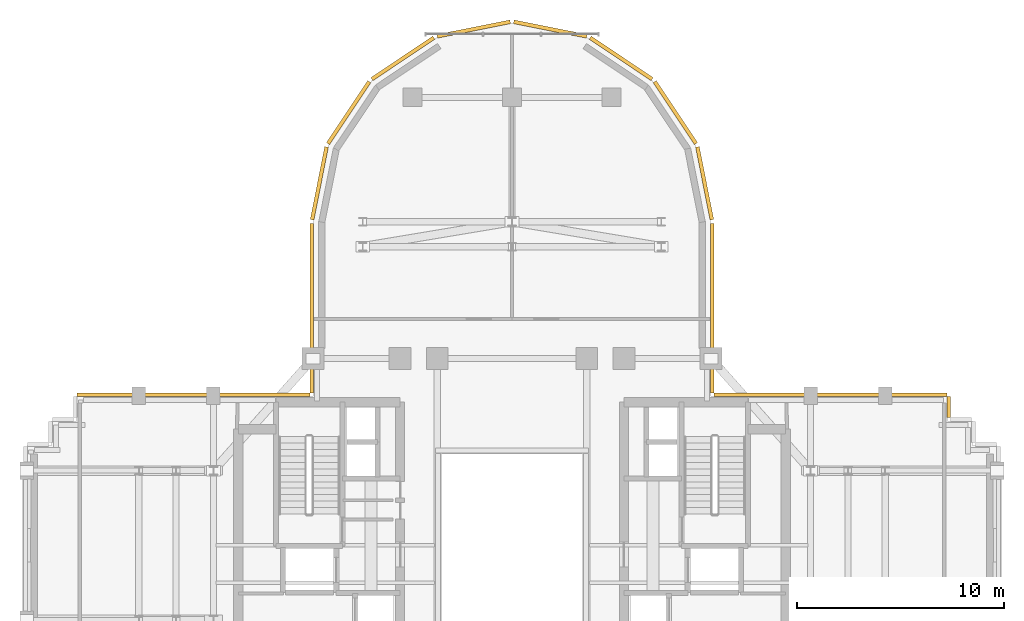
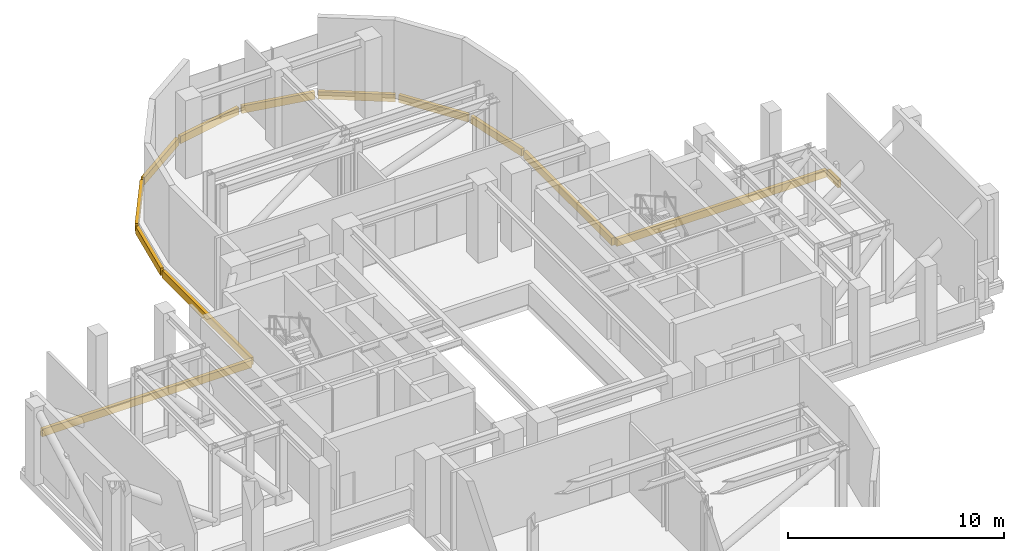
# One storey, part 11 of 11: 13 coverings.
"""IFC4 building model written with IfcOpenShell, lengths in metres."""

from ifc_helpers import new_model, si_unit, direction, frame, origin, origin_2d, place, context, subcontext, project, spatial, rectangle, extrude, source, transform, mapped, material, layer, layer_set, type_object, element, save


model = new_model("IFC4")

# Units and contexts
model_context = context("Model", 3, precision=1e-05, world=origin(), true_north=direction((0.0, 1.0)))
body_context = subcontext(model_context, "Body", "Model", "MODEL_VIEW")
ifc_project = project(units=[si_unit("LENGTHUNIT", "METRE"), si_unit("AREAUNIT", "SQUARE_METRE"), si_unit("VOLUMEUNIT", "CUBIC_METRE"), si_unit("PLANEANGLEUNIT", "RADIAN"), si_unit("MASSUNIT", "GRAM", prefix="KILO")], contexts=[model_context])

# Site, building, storey
site_placement = place(None, origin())
site = spatial("IfcSite", under=ifc_project, at=site_placement, CompositionType="ELEMENT")
building_placement = place(site_placement, origin())
building = spatial("IfcBuilding", under=site, at=building_placement, Name="Keilestroom Media Tower", CompositionType="ELEMENT")
storey_placement = place(building_placement, frame((0.0, 0.0, 151.60009765625)))
storey = spatial("IfcBuildingStorey", under=building, at=storey_placement, Name="L41", CompositionType="ELEMENT", Elevation=151.60009765625)

# Coverings
ifc_material = material(Name="Precast concrete C40/50", Category="concrete")
ifc_layer = layer(ifc_material, 0.1201171875)
ifc_layer_set = layer_set([ifc_layer], Name="Precast concrete C40/50")
covering_type = type_object("IfcCoveringType", Name="Exterior-Precast-Spandrel-Cladding-Panel-120", PredefinedType="CLADDING", material=ifc_layer_set)
shared_shape_1 = source(origin(), body_context, "Body", "SweptSolid", [
    extrude(rectangle(XDim=1.02001953125, YDim=0.179931640625, at=origin_2d()), origin(), (0.0, 0.0, 1.0), 0.419921875),
])
covering_placement = place(storey_placement, frame((21.06005859375, 6.659912109375, -0.60009765625), z_axis=(0.0, 0.0, 1.0), x_axis=(0.0, -1.0, 0.0)))
element("IfcCovering", 1, at=covering_placement, inside=storey, type_object=covering_type, Name="L41 Precast Slab-Edge Fascia Cornice 38", PredefinedType="CLADDING", context=body_context, shape_type="MappedRepresentation", body=[
    mapped(shared_shape_1, transform((0.0, 0.0, 0.0), x_axis=(1.0, 0.0, 0.0), y_axis=(0.0, 1.0, 0.0), z_axis=(0.0, 0.0, 1.0), scale=1.0)),
])
shared_shape_2 = source(origin(), body_context, "Body", "SweptSolid", [
    extrude(rectangle(XDim=8.166015625, YDim=0.179931640625, at=origin_2d()), origin(), (0.0, 0.0, 1.0), 0.419921875),
])
for number, where, z_axis, x_axis, name in (
    (2, (-9.659912109375, 11.43310546875, -0.60009765625), (0.0, 0.0, 1.0), (0.0, 1.0, 0.0), "L41 Precast Slab-Edge Fascia Cornice 27"),
    (3, (9.659912109375, 11.43310546875, -0.60009765625), (0.0, 0.0, 1.0), (0.0, -1.0, 0.0), "L41 Precast Slab-Edge Fascia Cornice 36"),
):
    element("IfcCovering", number, at=place(storey_placement, frame(where, z_axis=z_axis, x_axis=x_axis)), inside=storey, type_object=covering_type, Name=name, PredefinedType="CLADDING", context=body_context, shape_type="MappedRepresentation", body=[
        mapped(shared_shape_2, transform((0.0, 0.0, 0.0), x_axis=(1.0, 0.0, 0.0), y_axis=(0.0, 1.0, 0.0), z_axis=(0.0, 0.0, 1.0), scale=1.0)),
    ])
shared_shape_3 = source(origin(), body_context, "Body", "SweptSolid", [
    extrude(rectangle(XDim=3.58349609375, YDim=0.179931640625, at=origin_2d()), origin(), (0.0, 0.0, 1.0), 0.419921875),
])
for number, where, z_axis, x_axis, name in (
    (4, (-9.29296875, 17.45166015625, -0.60009765625), (0.0, 0.0, 1.0), (0.195098880975, 0.980783577882, 0.0), "L41 Precast Slab-Edge Fascia Cornice 28"),
    (5, (9.29296875, 17.45166015625, -0.60009765625), (0.0, 0.0, 1.0), (0.195098880975, -0.980783577882, 0.0), "L41 Precast Slab-Edge Fascia Cornice 35"),
):
    element("IfcCovering", number, at=place(storey_placement, frame(where, z_axis=z_axis, x_axis=x_axis)), inside=storey, type_object=covering_type, Name=name, PredefinedType="CLADDING", context=body_context, shape_type="MappedRepresentation", body=[
        mapped(shared_shape_3, transform((0.0, 0.0, 0.0), x_axis=(1.0, 0.0, 0.0), y_axis=(0.0, 1.0, 0.0), z_axis=(0.0, 0.0, 1.0), scale=1.0)),
    ])
shared_shape_4 = source(origin(), body_context, "Body", "SweptSolid", [
    extrude(rectangle(XDim=3.589599609375, YDim=0.179931640625, at=origin_2d()), origin(), (0.0, 0.0, 1.0), 0.419921875),
])
for number, where, z_axis, x_axis, name in (
    (6, (-7.878662109375, 20.8642578125, -0.60009765625), (0.0, 0.0, 1.0), (0.555574586577, 0.831466703332, 0.0), "L41 Precast Slab-Edge Fascia Cornice 29"),
    (7, (-5.264404296875, 23.478515625, -0.60009765625), (0.0, 0.0, 1.0), (0.831466703332, 0.555574586577, 0.0), "L41 Precast Slab-Edge Fascia Cornice 30"),
    (8, (-1.8486328125, 24.893310546875, -0.60009765625), (0.0, 0.0, 1.0), (0.980783577882, 0.195098880975, 0.0), "L41 Precast Slab-Edge Fascia Cornice 31"),
    (9, (1.8486328125, 24.893310546875, -0.60009765625), (0.0, 0.0, 1.0), (0.980783577882, -0.195098880975, 0.0), "L41 Precast Slab-Edge Fascia Cornice 32"),
    (10, (5.264404296875, 23.478515625, -0.60009765625), (0.0, 0.0, 1.0), (0.831466703332, -0.555574586577, 0.0), "L41 Precast Slab-Edge Fascia Cornice 33"),
    (11, (7.878662109375, 20.8642578125, -0.60009765625), (0.0, 0.0, 1.0), (0.555574586577, -0.831466703332, 0.0), "L41 Precast Slab-Edge Fascia Cornice 34"),
):
    element("IfcCovering", number, at=place(storey_placement, frame(where, z_axis=z_axis, x_axis=x_axis)), inside=storey, type_object=covering_type, Name=name, PredefinedType="CLADDING", context=body_context, shape_type="MappedRepresentation", body=[
        mapped(shared_shape_4, transform((0.0, 0.0, 0.0), x_axis=(1.0, 0.0, 0.0), y_axis=(0.0, 1.0, 0.0), z_axis=(0.0, 0.0, 1.0), scale=1.0)),
    ])
shared_shape_5 = source(origin(), body_context, "Body", "SweptSolid", [
    extrude(rectangle(XDim=11.219970703125, YDim=0.179931640625, at=origin_2d()), origin(), (0.0, 0.0, 1.0), 0.419921875),
])
for number, where, z_axis, x_axis, name in (
    (12, (-15.360107421875, 7.260009765625, -0.60009765625), (0.0, 0.0, 1.0), (1.0, 0.0, 0.0), "L41 Precast Slab-Edge Fascia Cornice 26"),
    (13, (15.360107421875, 7.260009765625, -0.60009765625), (0.0, 0.0, 1.0), (1.0, 0.0, 0.0), "L41 Precast Slab-Edge Fascia Cornice 37"),
):
    element("IfcCovering", number, at=place(storey_placement, frame(where, z_axis=z_axis, x_axis=x_axis)), inside=storey, type_object=covering_type, Name=name, PredefinedType="CLADDING", context=body_context, shape_type="MappedRepresentation", body=[
        mapped(shared_shape_5, transform((0.0, 0.0, 0.0), x_axis=(1.0, 0.0, 0.0), y_axis=(0.0, 1.0, 0.0), z_axis=(0.0, 0.0, 1.0), scale=1.0)),
    ])

save(model, "model.ifc")
